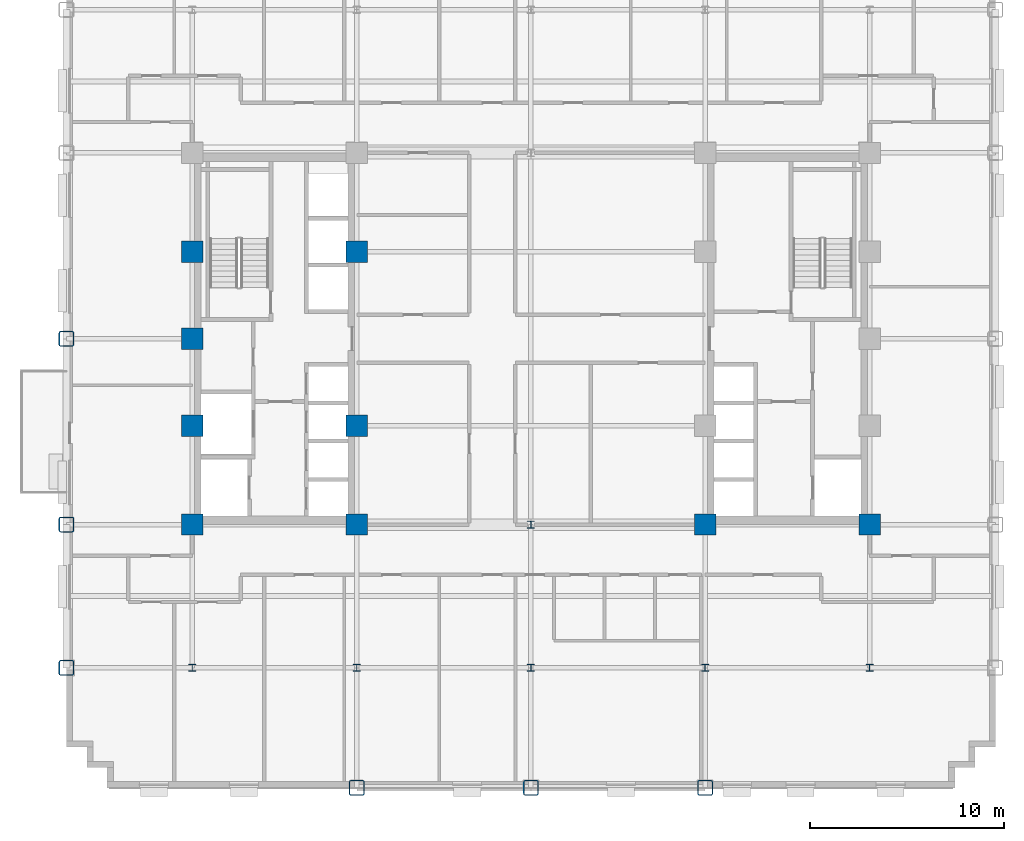
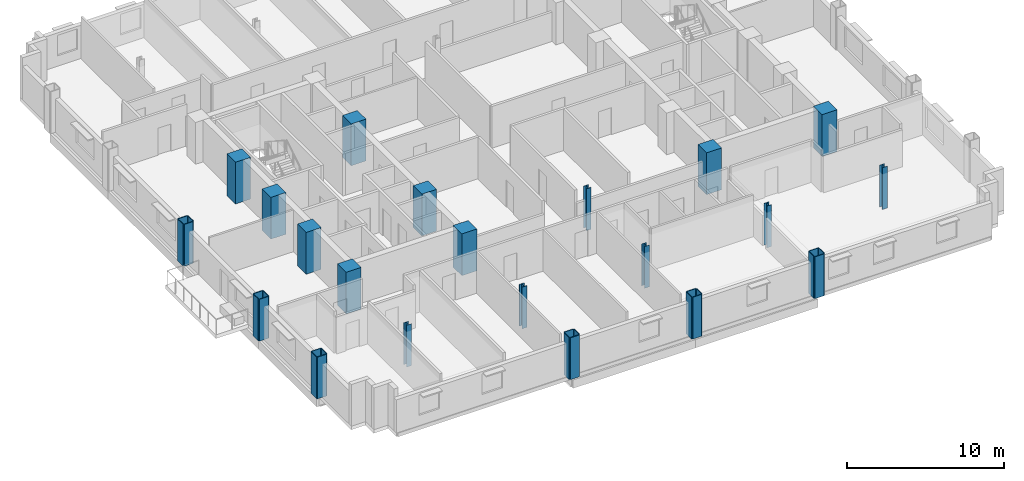
# One storey, part 1 of 14: 21 columns.
"""IFC4 building model written with IfcOpenShell, lengths in metres."""

from ifc_helpers import new_model, si_unit, direction, frame, origin, origin_2d, place, context, subcontext, project, spatial, rectangle, hollow_rectangle, i_section, extrude, material, material_profile, profile_set, type_object, element, save


model = new_model("IFC4")

# Units and contexts
model_context = context("Model", 3, precision=1e-05, world=origin(), true_north=direction((0.0, 1.0)))
body_context = subcontext(model_context, "Body", "Model", "MODEL_VIEW")
ifc_project = project(units=[si_unit("LENGTHUNIT", "METRE"), si_unit("AREAUNIT", "SQUARE_METRE"), si_unit("VOLUMEUNIT", "CUBIC_METRE"), si_unit("PLANEANGLEUNIT", "RADIAN"), si_unit("MASSUNIT", "GRAM", prefix="KILO")], contexts=[model_context])

# Site, building, storey
site_placement = place(None, origin())
site = spatial("IfcSite", under=ifc_project, at=site_placement, CompositionType="ELEMENT")
building_placement = place(site_placement, origin())
building = spatial("IfcBuilding", under=site, at=building_placement, Name="Nuvemarco Arch Tower", CompositionType="ELEMENT")
storey_placement = place(building_placement, frame((0.0, 0.0, 89.64990234375)))
storey = spatial("IfcBuildingStorey", under=building, at=storey_placement, Name="L23", CompositionType="ELEMENT", Elevation=89.64990234375)

# Columns
ifc_material_1 = material(Name="Concrete C60/75", Category="concrete")
ifc_material_profile_1 = material_profile(ifc_material_1, rectangle(XDim=1.10009765625, YDim=1.10009765625, at=origin_2d()), Name="RC-COL-1100x1100")
ifc_profile_set_1 = profile_set([ifc_material_profile_1], Name="Concrete C60/75")
column_type_1 = type_object("IfcColumnType", Name="COL-CORE-1100", PredefinedType="COLUMN", material=ifc_profile_set_1)
for number, where, z_axis, x_axis, name in (
    (1, (-17.5, -9.60009765625, 0.0), (0.0, 0.0, 1.0), (1.0, 0.0, 0.0), "L23 column CC_-17.5_-9.6"),
    (2, (-17.5, -4.5, 0.0), (0.0, 0.0, 1.0), (1.0, 0.0, 0.0), "L23 column CC_-17.5_-4.5"),
    (3, (-17.5, 4.5, 0.0), (0.0, 0.0, 1.0), (1.0, 0.0, 0.0), "L23 column CC_-17.5_+4.5"),
    (4, (-9.0, -9.60009765625, 0.0), (0.0, 0.0, 1.0), (1.0, 0.0, 0.0), "L23 column CC_-9.0_-9.6"),
    (5, (-9.0, -4.5, 0.0), (0.0, 0.0, 1.0), (1.0, 0.0, 0.0), "L23 column CC_-9.0_-4.5"),
    (6, (-9.0, 4.5, 0.0), (0.0, 0.0, 1.0), (1.0, 0.0, 0.0), "L23 column CC_-9.0_+4.5"),
    (7, (9.0, -9.60009765625, 0.0), (0.0, 0.0, 1.0), (1.0, 0.0, 0.0), "L23 column CC_+9.0_-9.6"),
    (8, (17.5, -9.60009765625, 0.0), (0.0, 0.0, 1.0), (1.0, 0.0, 0.0), "L23 column CC_+17.5_-9.6"),
    (9, (-17.5, 0.0, 0.0), (0.0, 0.0, 1.0), (1.0, 0.0, 0.0), "L23 column CC_-17.5_+0.0"),
):
    element("IfcColumn", number, at=place(storey_placement, frame(where, z_axis=z_axis, x_axis=x_axis)), inside=storey, type_object=column_type_1, Name=name, PredefinedType="COLUMN", context=body_context, shape_type="SweptSolid", body=[
        extrude(rectangle(XDim=1.10009765625, YDim=1.10009765625, at=origin_2d()), origin(), (0.0, 0.0, 1.0), 3.25),
    ])
ifc_material_2 = material(Name="Steel S460", Category="steel")
ifc_material_profile_2 = material_profile(ifc_material_2, hollow_rectangle(XDim=0.800048828125, YDim=0.800048828125, WallThickness=0.054931640625, InnerFilletRadius=0.054931640625, OuterFilletRadius=0.110107421875, at=origin_2d()), Name="SHS800x800x55")
ifc_profile_set_2 = profile_set([ifc_material_profile_2], Name="Steel S460")
column_type_2 = type_object("IfcColumnType", Name="COL-EXO-800", PredefinedType="COLUMN", material=ifc_profile_set_2)
for number, where, z_axis, x_axis, name in (
    (10, (-24.0, -17.0, 0.0), (0.0, 0.0, 1.0), (1.0, 0.0, 0.0), "L23 column CX_-24.0_-17.0"),
    (11, (-24.0, -9.60009765625, 0.0), (0.0, 0.0, 1.0), (1.0, 0.0, 0.0), "L23 column CX_-24.0_-9.6"),
    (12, (-24.0, 0.0, 0.0), (0.0, 0.0, 1.0), (1.0, 0.0, 0.0), "L23 column CX_-24.0_+0.0"),
    (13, (-9.0, -23.199951171875, 0.0), (0.0, 0.0, 1.0), (1.0, 0.0, 0.0), "L23 column CY_-9.0_-23.2"),
    (14, (0.0, -23.199951171875, 0.0), (0.0, 0.0, 1.0), (1.0, 0.0, 0.0), "L23 column CY_+0.0_-23.2"),
    (15, (9.0, -23.199951171875, 0.0), (0.0, 0.0, 1.0), (1.0, 0.0, 0.0), "L23 column CY_+9.0_-23.2"),
):
    element("IfcColumn", number, at=place(storey_placement, frame(where, z_axis=z_axis, x_axis=x_axis)), inside=storey, type_object=column_type_2, Name=name, PredefinedType="COLUMN", context=body_context, shape_type="SweptSolid", body=[
        extrude(hollow_rectangle(XDim=0.800048828125, YDim=0.800048828125, WallThickness=0.054931640625, InnerFilletRadius=0.054931640625, OuterFilletRadius=0.110107421875, at=origin_2d()), origin(), (0.0, 0.0, 1.0), 3.25),
    ])
ifc_material_3 = material(Name="Steel S355", Category="steel")
ifc_material_profile_3 = material_profile(ifc_material_3, i_section(OverallWidth=0.360107421875, OverallDepth=0.360107421875, WebThickness=0.0205078125, FlangeThickness=0.0205078125, FilletRadius=0.01806640625, at=origin_2d()), Name="HP360x174")
ifc_profile_set_3 = profile_set([ifc_material_profile_3], Name="Steel S355")
column_type_3 = type_object("IfcColumnType", Name="COL-STL-HP360", PredefinedType="COLUMN", material=ifc_profile_set_3)
for number, where, z_axis, x_axis, name in (
    (16, (0.0, -17.0, 0.0), (0.0, 0.0, 1.0), (1.0, 0.0, 0.0), "L23 column CI_+0.0_-17.0"),
    (17, (0.0, -9.60009765625, 0.0), (0.0, 0.0, 1.0), (1.0, 0.0, 0.0), "L23 column CI_+0.0_-9.6"),
    (18, (-17.5, -17.0, 0.0), (0.0, 0.0, 1.0), (1.0, 0.0, 0.0), "L23 column CI_-17.5_-17.0"),
    (19, (-9.0, -17.0, 0.0), (0.0, 0.0, 1.0), (1.0, 0.0, 0.0), "L23 column CI_-9.0_-17.0"),
    (20, (9.0, -17.0, 0.0), (0.0, 0.0, 1.0), (1.0, 0.0, 0.0), "L23 column CI_+9.0_-17.0"),
    (21, (17.5, -17.0, 0.0), (0.0, 0.0, 1.0), (1.0, 0.0, 0.0), "L23 column CI_+17.5_-17.0"),
):
    element("IfcColumn", number, at=place(storey_placement, frame(where, z_axis=z_axis, x_axis=x_axis)), inside=storey, type_object=column_type_3, Name=name, PredefinedType="COLUMN", context=body_context, shape_type="SweptSolid", body=[
        extrude(i_section(OverallWidth=0.360107421875, OverallDepth=0.360107421875, WebThickness=0.0205078125, FlangeThickness=0.0205078125, FilletRadius=0.01806640625, at=origin_2d()), origin(), (0.0, 0.0, 1.0), 3.25),
    ])

save(model, "model.ifc")
